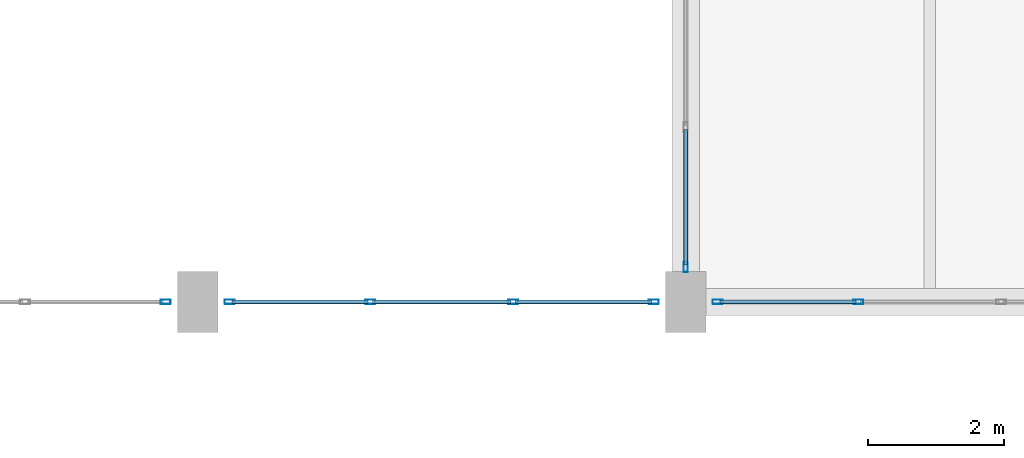
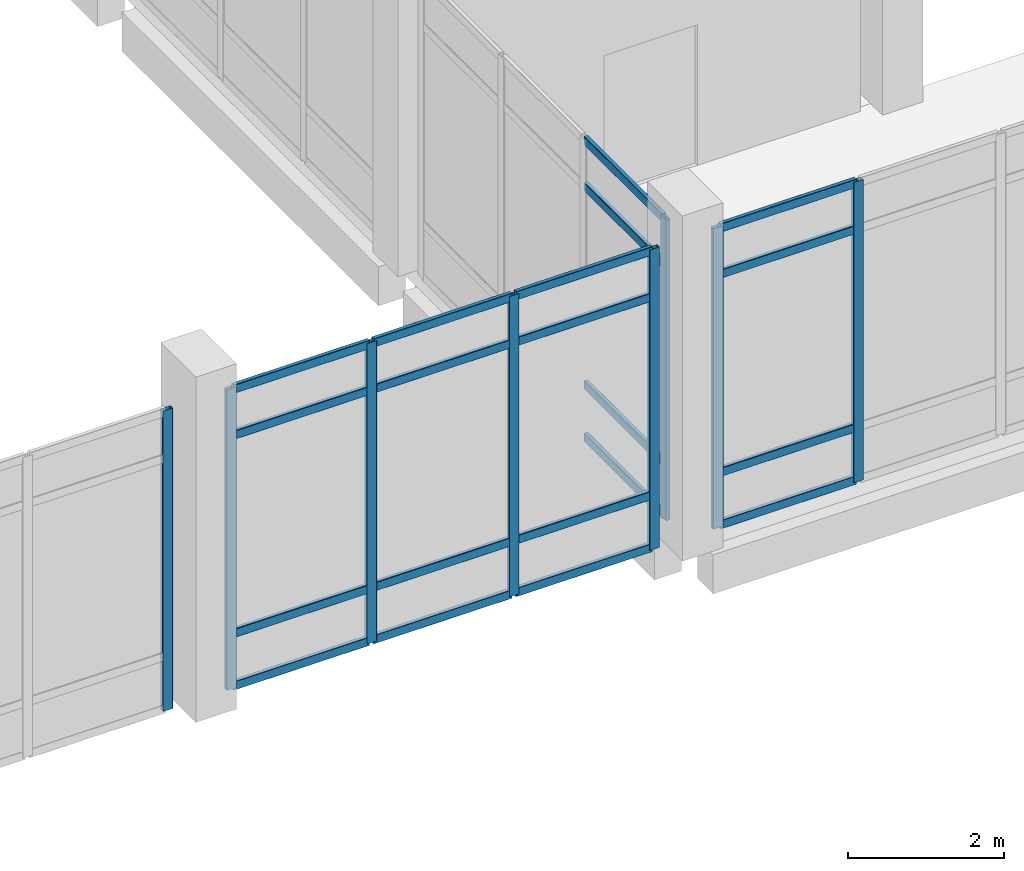
# One storey, part 104 of 180: 28 members, 4 elements without a shape of their own.
"""IFC4 building model written with IfcOpenShell, lengths in metres."""

from ifc_helpers import new_model, si_unit, direction, frame, origin, origin_2d, place, context, subcontext, project, spatial, hollow_rectangle, extrude, material, material_profile, profile_set, type_object, element, aggregate, save


model = new_model("IFC4")

# Units and contexts
model_context = context("Model", 3, precision=1e-05, world=origin(), true_north=direction((0.0, 1.0)))
body_context = subcontext(model_context, "Body", "Model", "MODEL_VIEW")
ifc_project = project(units=[si_unit("LENGTHUNIT", "METRE"), si_unit("AREAUNIT", "SQUARE_METRE"), si_unit("VOLUMEUNIT", "CUBIC_METRE"), si_unit("PLANEANGLEUNIT", "RADIAN"), si_unit("MASSUNIT", "GRAM", prefix="KILO")], contexts=[model_context])

# Site, building, storey
site_placement = place(None, origin())
site = spatial("IfcSite", under=ifc_project, at=site_placement, CompositionType="ELEMENT")
building_placement = place(site_placement, origin())
building = spatial("IfcBuilding", under=site, at=building_placement, Name="Lusvemor Sports Hall", CompositionType="ELEMENT")
storey_placement = place(building_placement, frame((0.0, 0.0, 5.39990234375)))
storey = spatial("IfcBuildingStorey", under=building, at=storey_placement, Name="L01", CompositionType="ELEMENT", Elevation=5.39990234375)

# Curtain wall, member
ifc_material_1 = material(Name="Thermally broken bronze-anodized aluminium", Category="aluminium")
curtain_wall_type_1 = type_object("IfcCurtainWallType", Name="CW_COURT_C", PredefinedType="NOTDEFINED", material=ifc_material_1)
curtain_wall_1_placement = place(storey_placement, origin())
curtain_wall_1 = element("IfcCurtainWall", 1, at=curtain_wall_1_placement, inside=storey, type_object=curtain_wall_type_1, Name="Curtain Wall CW-V2N-L01-0", PredefinedType="NOTDEFINED")
ifc_material_2 = material(Name="Thermally broken bronze-anodized aluminium", Category="aluminium")
ifc_material_profile_1 = material_profile(ifc_material_2, hollow_rectangle(XDim=0.06494140625, YDim=0.14990234375, WallThickness=0.00390625, InnerFilletRadius=0.00390625, OuterFilletRadius=0.008056640625, at=origin_2d()), Name="CWMUL150x65x4")
ifc_profile_set_1 = profile_set([ifc_material_profile_1], Name="Thermally broken bronze-anodized aluminium")
member_type_1 = type_object("IfcMemberType", Name="CW_MUL_B", PredefinedType="MULLION", material=ifc_profile_set_1)
member_1_placement = place(storey_placement, frame((125.527587890625, 39.60009765625, 0.0), z_axis=(0.0, 0.0, 1.0), x_axis=(0.0, 1.0, 0.0)))
member_1 = element("IfcMember", 2, at=member_1_placement, type_object=member_type_1, Name="CW03 mullion 4", PredefinedType="MULLION", context=body_context, shape_type="SweptSolid", body=[
    extrude(hollow_rectangle(XDim=0.06494140625, YDim=0.14990234375, WallThickness=0.00390625, InnerFilletRadius=0.00390625, OuterFilletRadius=0.008056640625, at=origin_2d()), origin(), (0.0, 0.0, 1.0), 4.7001953125),
])
aggregate(curtain_wall_1, [member_1])

# Curtain wall, members
curtain_wall_2_placement = place(storey_placement, origin())
curtain_wall_2 = element("IfcCurtainWall", 3, at=curtain_wall_2_placement, inside=storey, type_object=curtain_wall_type_1, Name="Curtain Wall CW-V2N-L01-1", PredefinedType="NOTDEFINED")
member_2_placement = place(storey_placement, frame((126.472412109375, 39.60009765625, 0.0), z_axis=(0.0, 0.0, 1.0), x_axis=(0.0, 1.0, 0.0)))
member_2 = element("IfcMember", 4, at=member_2_placement, type_object=member_type_1, Name="CW03 mullion 1", PredefinedType="MULLION", context=body_context, shape_type="SweptSolid", body=[
    extrude(hollow_rectangle(XDim=0.06494140625, YDim=0.14990234375, WallThickness=0.00390625, InnerFilletRadius=0.00390625, OuterFilletRadius=0.008056640625, at=origin_2d()), origin(), (0.0, 0.0, 1.0), 4.7001953125),
])
member_3_placement = place(storey_placement, frame((128.546630859375, 39.60009765625, 0.0), z_axis=(0.0, 0.0, 1.0), x_axis=(0.0, 1.0, 0.0)))
member_3 = element("IfcMember", 5, at=member_3_placement, type_object=member_type_1, Name="CW03 mullion 2", PredefinedType="MULLION", context=body_context, shape_type="SweptSolid", body=[
    extrude(hollow_rectangle(XDim=0.06494140625, YDim=0.14990234375, WallThickness=0.00390625, InnerFilletRadius=0.00390625, OuterFilletRadius=0.008056640625, at=origin_2d()), origin(), (0.0, 0.0, 1.0), 4.7001953125),
])
member_4_placement = place(storey_placement, frame((130.6533203125, 39.60009765625, 0.0), z_axis=(0.0, 0.0, 1.0), x_axis=(0.0, 1.0, 0.0)))
member_4 = element("IfcMember", 6, at=member_4_placement, type_object=member_type_1, Name="CW03 mullion 3", PredefinedType="MULLION", context=body_context, shape_type="SweptSolid", body=[
    extrude(hollow_rectangle(XDim=0.06494140625, YDim=0.14990234375, WallThickness=0.00390625, InnerFilletRadius=0.00390625, OuterFilletRadius=0.008056640625, at=origin_2d()), origin(), (0.0, 0.0, 1.0), 4.7001953125),
])
member_5_placement = place(storey_placement, frame((132.7275390625, 39.60009765625, 0.0), z_axis=(0.0, 0.0, 1.0), x_axis=(0.0, 1.0, 0.0)))
member_5 = element("IfcMember", 7, at=member_5_placement, type_object=member_type_1, Name="CW03 mullion 4", PredefinedType="MULLION", context=body_context, shape_type="SweptSolid", body=[
    extrude(hollow_rectangle(XDim=0.06494140625, YDim=0.14990234375, WallThickness=0.00390625, InnerFilletRadius=0.00390625, OuterFilletRadius=0.008056640625, at=origin_2d()), origin(), (0.0, 0.0, 1.0), 4.7001953125),
])

curtain_wall_3_placement = place(storey_placement, origin())
curtain_wall_3 = element("IfcCurtainWall", 8, at=curtain_wall_3_placement, inside=storey, type_object=curtain_wall_type_1, Name="Curtain Wall CW-V2N-L01-2", PredefinedType="NOTDEFINED")
member_6_placement = place(storey_placement, frame((133.672607421875, 39.60009765625, 0.0), z_axis=(0.0, 0.0, 1.0), x_axis=(0.0, 1.0, 0.0)))
member_6 = element("IfcMember", 9, at=member_6_placement, type_object=member_type_1, Name="CW03 mullion 1", PredefinedType="MULLION", context=body_context, shape_type="SweptSolid", body=[
    extrude(hollow_rectangle(XDim=0.06494140625, YDim=0.14990234375, WallThickness=0.00390625, InnerFilletRadius=0.00390625, OuterFilletRadius=0.008056640625, at=origin_2d()), origin(), (0.0, 0.0, 1.0), 4.7001953125),
])
member_7_placement = place(storey_placement, frame((135.74658203125, 39.60009765625, 0.0), z_axis=(0.0, 0.0, 1.0), x_axis=(0.0, 1.0, 0.0)))
member_7 = element("IfcMember", 10, at=member_7_placement, type_object=member_type_1, Name="CW03 mullion 2", PredefinedType="MULLION", context=body_context, shape_type="SweptSolid", body=[
    extrude(hollow_rectangle(XDim=0.06494140625, YDim=0.14990234375, WallThickness=0.00390625, InnerFilletRadius=0.00390625, OuterFilletRadius=0.008056640625, at=origin_2d()), origin(), (0.0, 0.0, 1.0), 4.7001953125),
])

# Curtain wall, member
ifc_material_3 = material(Name="Thermally broken bronze-anodized aluminium", Category="aluminium")
curtain_wall_type_2 = type_object("IfcCurtainWallType", Name="CW_PASSAGE_E", PredefinedType="NOTDEFINED", material=ifc_material_3)
curtain_wall_4_placement = place(storey_placement, origin())
curtain_wall_4 = element("IfcCurtainWall", 11, at=curtain_wall_4_placement, inside=storey, type_object=curtain_wall_type_2, Name="Curtain Wall CW-ELINK-133-L01", PredefinedType="NOTDEFINED")
member_8_placement = place(storey_placement, frame((133.199951171875, 40.112548828125, 0.0), z_axis=(0.0, 0.0, 1.0), x_axis=(-1.0, 0.0, 0.0)))
member_8 = element("IfcMember", 12, at=member_8_placement, type_object=member_type_1, Name="CW05 mullion 1", PredefinedType="MULLION", context=body_context, shape_type="SweptSolid", body=[
    extrude(hollow_rectangle(XDim=0.06494140625, YDim=0.14990234375, WallThickness=0.00390625, InnerFilletRadius=0.00390625, OuterFilletRadius=0.008056640625, at=origin_2d()), origin(), (0.0, 0.0, 1.0), 4.7001953125),
])

# Member
ifc_material_4 = material(Name="Thermally broken bronze-anodized aluminium", Category="aluminium")
ifc_material_profile_2 = material_profile(ifc_material_4, hollow_rectangle(XDim=0.06005859375, YDim=0.135009765625, WallThickness=0.00390625, InnerFilletRadius=0.00390625, OuterFilletRadius=0.008056640625, at=origin_2d()), Name="CWTRN135x60x4")
ifc_profile_set_2 = profile_set([ifc_material_profile_2], Name="Thermally broken bronze-anodized aluminium")
member_type_2 = type_object("IfcMemberType", Name="CW_TRN_B", PredefinedType="USERDEFINED", material=ifc_profile_set_2)
member_9_placement = place(storey_placement, frame((126.5048828125, 39.60009765625, 0.030029296875), z_axis=(1.0, 0.0, 0.0), x_axis=(0.0, 1.0, 0.0)))
member_9 = element("IfcMember", 13, at=member_9_placement, type_object=member_type_2, Name="CW03 transom 1.1", ObjectType="TRANSOM", PredefinedType="USERDEFINED", context=body_context, shape_type="SweptSolid", body=[
    extrude(hollow_rectangle(XDim=0.06005859375, YDim=0.135009765625, WallThickness=0.00390625, InnerFilletRadius=0.00390625, OuterFilletRadius=0.008056640625, at=origin_2d()), origin(), (0.0, 0.0, 1.0), 2.00927734375),
])

member_10_placement = place(storey_placement, frame((126.5048828125, 39.60009765625, 0.85009765625), z_axis=(1.0, 0.0, 0.0), x_axis=(0.0, 1.0, 0.0)))
member_10 = element("IfcMember", 14, at=member_10_placement, type_object=member_type_2, Name="CW03 transom 1.2", ObjectType="TRANSOM", PredefinedType="USERDEFINED", context=body_context, shape_type="SweptSolid", body=[
    extrude(hollow_rectangle(XDim=0.06005859375, YDim=0.135009765625, WallThickness=0.00390625, InnerFilletRadius=0.00390625, OuterFilletRadius=0.008056640625, at=origin_2d()), origin(), (0.0, 0.0, 1.0), 2.00927734375),
])

member_11_placement = place(storey_placement, frame((126.5048828125, 39.60009765625, 3.9501953125), z_axis=(1.0, 0.0, 0.0), x_axis=(0.0, 1.0, 0.0)))
member_11 = element("IfcMember", 15, at=member_11_placement, type_object=member_type_2, Name="CW03 transom 1.3", ObjectType="TRANSOM", PredefinedType="USERDEFINED", context=body_context, shape_type="SweptSolid", body=[
    extrude(hollow_rectangle(XDim=0.06005859375, YDim=0.135009765625, WallThickness=0.00390625, InnerFilletRadius=0.00390625, OuterFilletRadius=0.008056640625, at=origin_2d()), origin(), (0.0, 0.0, 1.0), 2.00927734375),
])

member_12_placement = place(storey_placement, frame((126.5048828125, 39.60009765625, 4.670166015625), z_axis=(1.0, 0.0, 0.0), x_axis=(0.0, 1.0, 0.0)))
member_12 = element("IfcMember", 16, at=member_12_placement, type_object=member_type_2, Name="CW03 transom 1.4", ObjectType="TRANSOM", PredefinedType="USERDEFINED", context=body_context, shape_type="SweptSolid", body=[
    extrude(hollow_rectangle(XDim=0.06005859375, YDim=0.135009765625, WallThickness=0.00390625, InnerFilletRadius=0.00390625, OuterFilletRadius=0.008056640625, at=origin_2d()), origin(), (0.0, 0.0, 1.0), 2.00927734375),
])

member_13_placement = place(storey_placement, frame((128.5791015625, 39.60009765625, 0.030029296875), z_axis=(1.0, 0.0, 0.0), x_axis=(0.0, 1.0, 0.0)))
member_13 = element("IfcMember", 17, at=member_13_placement, type_object=member_type_2, Name="CW03 transom 2.1", ObjectType="TRANSOM", PredefinedType="USERDEFINED", context=body_context, shape_type="SweptSolid", body=[
    extrude(hollow_rectangle(XDim=0.06005859375, YDim=0.135009765625, WallThickness=0.00390625, InnerFilletRadius=0.00390625, OuterFilletRadius=0.008056640625, at=origin_2d()), origin(), (0.0, 0.0, 1.0), 2.041748046875),
])

member_14_placement = place(storey_placement, frame((128.5791015625, 39.60009765625, 0.85009765625), z_axis=(1.0, 0.0, 0.0), x_axis=(0.0, 1.0, 0.0)))
member_14 = element("IfcMember", 18, at=member_14_placement, type_object=member_type_2, Name="CW03 transom 2.2", ObjectType="TRANSOM", PredefinedType="USERDEFINED", context=body_context, shape_type="SweptSolid", body=[
    extrude(hollow_rectangle(XDim=0.06005859375, YDim=0.135009765625, WallThickness=0.00390625, InnerFilletRadius=0.00390625, OuterFilletRadius=0.008056640625, at=origin_2d()), origin(), (0.0, 0.0, 1.0), 2.041748046875),
])

member_15_placement = place(storey_placement, frame((128.5791015625, 39.60009765625, 3.9501953125), z_axis=(1.0, 0.0, 0.0), x_axis=(0.0, 1.0, 0.0)))
member_15 = element("IfcMember", 19, at=member_15_placement, type_object=member_type_2, Name="CW03 transom 2.3", ObjectType="TRANSOM", PredefinedType="USERDEFINED", context=body_context, shape_type="SweptSolid", body=[
    extrude(hollow_rectangle(XDim=0.06005859375, YDim=0.135009765625, WallThickness=0.00390625, InnerFilletRadius=0.00390625, OuterFilletRadius=0.008056640625, at=origin_2d()), origin(), (0.0, 0.0, 1.0), 2.041748046875),
])

member_16_placement = place(storey_placement, frame((128.5791015625, 39.60009765625, 4.670166015625), z_axis=(1.0, 0.0, 0.0), x_axis=(0.0, 1.0, 0.0)))
member_16 = element("IfcMember", 20, at=member_16_placement, type_object=member_type_2, Name="CW03 transom 2.4", ObjectType="TRANSOM", PredefinedType="USERDEFINED", context=body_context, shape_type="SweptSolid", body=[
    extrude(hollow_rectangle(XDim=0.06005859375, YDim=0.135009765625, WallThickness=0.00390625, InnerFilletRadius=0.00390625, OuterFilletRadius=0.008056640625, at=origin_2d()), origin(), (0.0, 0.0, 1.0), 2.041748046875),
])

member_17_placement = place(storey_placement, frame((130.685791015625, 39.60009765625, 0.030029296875), z_axis=(1.0, 0.0, 0.0), x_axis=(0.0, 1.0, 0.0)))
member_17 = element("IfcMember", 21, at=member_17_placement, type_object=member_type_2, Name="CW03 transom 3.1", ObjectType="TRANSOM", PredefinedType="USERDEFINED", context=body_context, shape_type="SweptSolid", body=[
    extrude(hollow_rectangle(XDim=0.06005859375, YDim=0.135009765625, WallThickness=0.00390625, InnerFilletRadius=0.00390625, OuterFilletRadius=0.008056640625, at=origin_2d()), origin(), (0.0, 0.0, 1.0), 2.00927734375),
])

member_18_placement = place(storey_placement, frame((130.685791015625, 39.60009765625, 0.85009765625), z_axis=(1.0, 0.0, 0.0), x_axis=(0.0, 1.0, 0.0)))
member_18 = element("IfcMember", 22, at=member_18_placement, type_object=member_type_2, Name="CW03 transom 3.2", ObjectType="TRANSOM", PredefinedType="USERDEFINED", context=body_context, shape_type="SweptSolid", body=[
    extrude(hollow_rectangle(XDim=0.06005859375, YDim=0.135009765625, WallThickness=0.00390625, InnerFilletRadius=0.00390625, OuterFilletRadius=0.008056640625, at=origin_2d()), origin(), (0.0, 0.0, 1.0), 2.00927734375),
])

member_19_placement = place(storey_placement, frame((130.685791015625, 39.60009765625, 3.9501953125), z_axis=(1.0, 0.0, 0.0), x_axis=(0.0, 1.0, 0.0)))
member_19 = element("IfcMember", 23, at=member_19_placement, type_object=member_type_2, Name="CW03 transom 3.3", ObjectType="TRANSOM", PredefinedType="USERDEFINED", context=body_context, shape_type="SweptSolid", body=[
    extrude(hollow_rectangle(XDim=0.06005859375, YDim=0.135009765625, WallThickness=0.00390625, InnerFilletRadius=0.00390625, OuterFilletRadius=0.008056640625, at=origin_2d()), origin(), (0.0, 0.0, 1.0), 2.00927734375),
])

member_20_placement = place(storey_placement, frame((130.685791015625, 39.60009765625, 4.670166015625), z_axis=(1.0, 0.0, 0.0), x_axis=(0.0, 1.0, 0.0)))
member_20 = element("IfcMember", 24, at=member_20_placement, type_object=member_type_2, Name="CW03 transom 3.4", ObjectType="TRANSOM", PredefinedType="USERDEFINED", context=body_context, shape_type="SweptSolid", body=[
    extrude(hollow_rectangle(XDim=0.06005859375, YDim=0.135009765625, WallThickness=0.00390625, InnerFilletRadius=0.00390625, OuterFilletRadius=0.008056640625, at=origin_2d()), origin(), (0.0, 0.0, 1.0), 2.00927734375),
])

aggregate(curtain_wall_2, [member_2, member_3, member_4, member_5, member_9, member_10, member_11, member_12, member_13, member_14, member_15, member_16, member_17, member_18, member_19, member_20])

member_21_placement = place(storey_placement, frame((133.705078125, 39.60009765625, 0.030029296875), z_axis=(1.0, 0.0, 0.0), x_axis=(0.0, 1.0, 0.0)))
member_21 = element("IfcMember", 25, at=member_21_placement, type_object=member_type_2, Name="CW03 transom 1.1", ObjectType="TRANSOM", PredefinedType="USERDEFINED", context=body_context, shape_type="SweptSolid", body=[
    extrude(hollow_rectangle(XDim=0.06005859375, YDim=0.135009765625, WallThickness=0.00390625, InnerFilletRadius=0.00390625, OuterFilletRadius=0.008056640625, at=origin_2d()), origin(), (0.0, 0.0, 1.0), 2.009033203125),
])

member_22_placement = place(storey_placement, frame((133.705078125, 39.60009765625, 0.85009765625), z_axis=(1.0, 0.0, 0.0), x_axis=(0.0, 1.0, 0.0)))
member_22 = element("IfcMember", 26, at=member_22_placement, type_object=member_type_2, Name="CW03 transom 1.2", ObjectType="TRANSOM", PredefinedType="USERDEFINED", context=body_context, shape_type="SweptSolid", body=[
    extrude(hollow_rectangle(XDim=0.06005859375, YDim=0.135009765625, WallThickness=0.00390625, InnerFilletRadius=0.00390625, OuterFilletRadius=0.008056640625, at=origin_2d()), origin(), (0.0, 0.0, 1.0), 2.009033203125),
])

member_23_placement = place(storey_placement, frame((133.705078125, 39.60009765625, 3.9501953125), z_axis=(1.0, 0.0, 0.0), x_axis=(0.0, 1.0, 0.0)))
member_23 = element("IfcMember", 27, at=member_23_placement, type_object=member_type_2, Name="CW03 transom 1.3", ObjectType="TRANSOM", PredefinedType="USERDEFINED", context=body_context, shape_type="SweptSolid", body=[
    extrude(hollow_rectangle(XDim=0.06005859375, YDim=0.135009765625, WallThickness=0.00390625, InnerFilletRadius=0.00390625, OuterFilletRadius=0.008056640625, at=origin_2d()), origin(), (0.0, 0.0, 1.0), 2.009033203125),
])

member_24_placement = place(storey_placement, frame((133.705078125, 39.60009765625, 4.670166015625), z_axis=(1.0, 0.0, 0.0), x_axis=(0.0, 1.0, 0.0)))
member_24 = element("IfcMember", 28, at=member_24_placement, type_object=member_type_2, Name="CW03 transom 1.4", ObjectType="TRANSOM", PredefinedType="USERDEFINED", context=body_context, shape_type="SweptSolid", body=[
    extrude(hollow_rectangle(XDim=0.06005859375, YDim=0.135009765625, WallThickness=0.00390625, InnerFilletRadius=0.00390625, OuterFilletRadius=0.008056640625, at=origin_2d()), origin(), (0.0, 0.0, 1.0), 2.009033203125),
])

aggregate(curtain_wall_3, [member_6, member_7, member_21, member_22, member_23, member_24])

member_25_placement = place(storey_placement, frame((133.199951171875, 40.14501953125, 0.030029296875), z_axis=(0.0, 1.0, 0.0), x_axis=(-1.0, 0.0, 0.0)))
member_25 = element("IfcMember", 29, at=member_25_placement, type_object=member_type_2, Name="CW05 transom 1.1", ObjectType="TRANSOM", PredefinedType="USERDEFINED", context=body_context, shape_type="SweptSolid", body=[
    extrude(hollow_rectangle(XDim=0.06005859375, YDim=0.135009765625, WallThickness=0.00390625, InnerFilletRadius=0.00390625, OuterFilletRadius=0.008056640625, at=origin_2d()), origin(), (0.0, 0.0, 1.0), 1.995849609375),
])

member_26_placement = place(storey_placement, frame((133.199951171875, 40.14501953125, 0.85009765625), z_axis=(0.0, 1.0, 0.0), x_axis=(-1.0, 0.0, 0.0)))
member_26 = element("IfcMember", 30, at=member_26_placement, type_object=member_type_2, Name="CW05 transom 1.2", ObjectType="TRANSOM", PredefinedType="USERDEFINED", context=body_context, shape_type="SweptSolid", body=[
    extrude(hollow_rectangle(XDim=0.06005859375, YDim=0.135009765625, WallThickness=0.00390625, InnerFilletRadius=0.00390625, OuterFilletRadius=0.008056640625, at=origin_2d()), origin(), (0.0, 0.0, 1.0), 1.995849609375),
])

member_27_placement = place(storey_placement, frame((133.199951171875, 40.14501953125, 3.9501953125), z_axis=(0.0, 1.0, 0.0), x_axis=(-1.0, 0.0, 0.0)))
member_27 = element("IfcMember", 31, at=member_27_placement, type_object=member_type_2, Name="CW05 transom 1.3", ObjectType="TRANSOM", PredefinedType="USERDEFINED", context=body_context, shape_type="SweptSolid", body=[
    extrude(hollow_rectangle(XDim=0.06005859375, YDim=0.135009765625, WallThickness=0.00390625, InnerFilletRadius=0.00390625, OuterFilletRadius=0.008056640625, at=origin_2d()), origin(), (0.0, 0.0, 1.0), 1.995849609375),
])

member_28_placement = place(storey_placement, frame((133.199951171875, 40.14501953125, 4.670166015625), z_axis=(0.0, 1.0, 0.0), x_axis=(-1.0, 0.0, 0.0)))
member_28 = element("IfcMember", 32, at=member_28_placement, type_object=member_type_2, Name="CW05 transom 1.4", ObjectType="TRANSOM", PredefinedType="USERDEFINED", context=body_context, shape_type="SweptSolid", body=[
    extrude(hollow_rectangle(XDim=0.06005859375, YDim=0.135009765625, WallThickness=0.00390625, InnerFilletRadius=0.00390625, OuterFilletRadius=0.008056640625, at=origin_2d()), origin(), (0.0, 0.0, 1.0), 1.995849609375),
])

aggregate(curtain_wall_4, [member_8, member_25, member_26, member_27, member_28])

save(model, "model.ifc")
